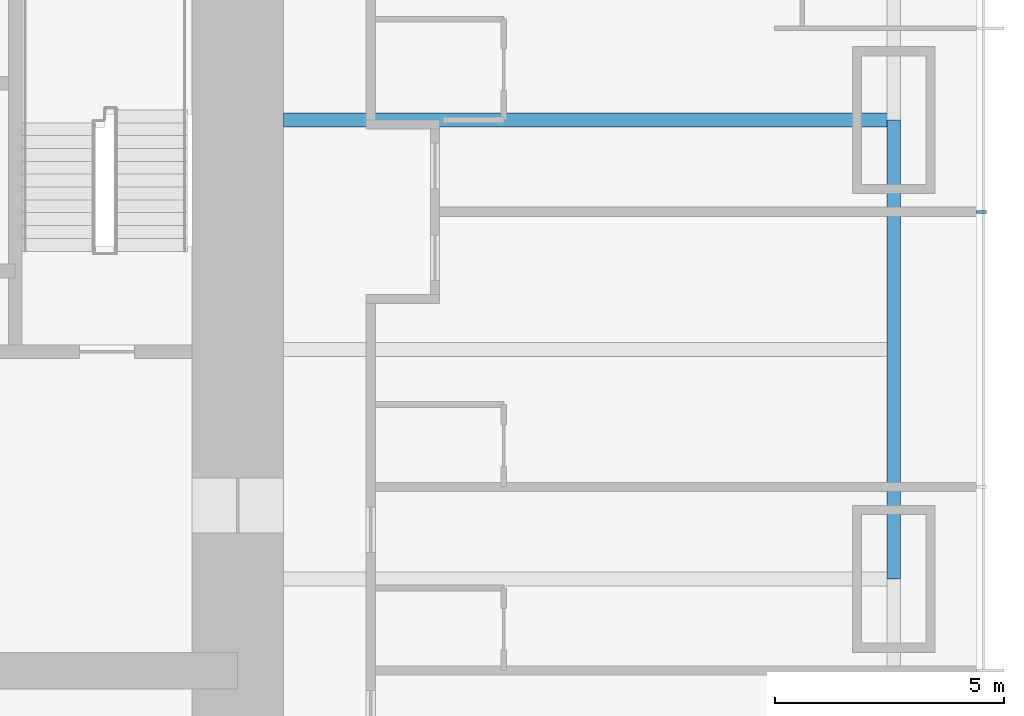
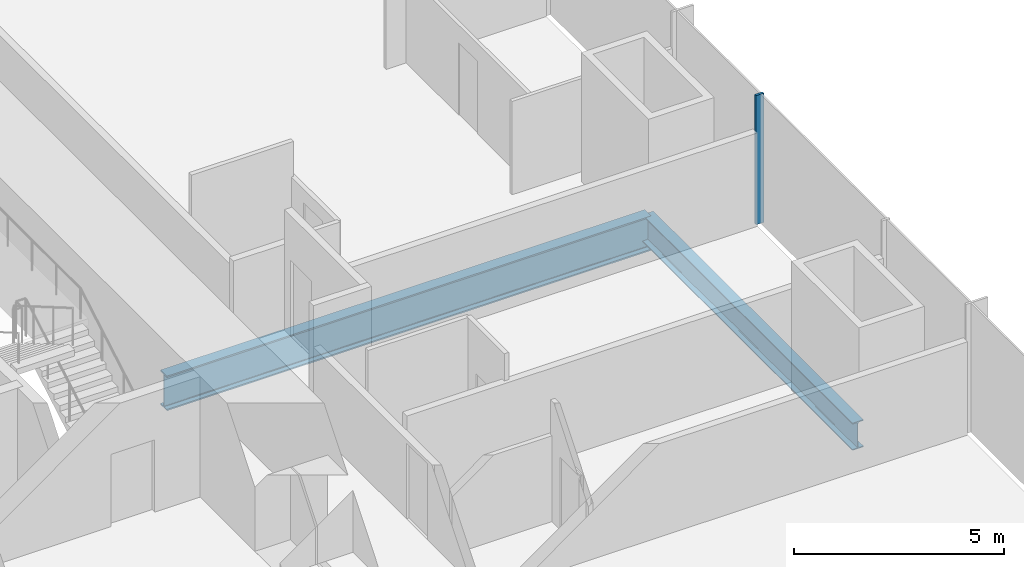
# One storey, part 5 of 17: 2 beams, 1 member, 1 element without a shape of its own.
"""IFC4 building model written with IfcOpenShell, lengths in metres."""

from ifc_helpers import new_model, si_unit, direction, frame, origin, origin_2d, place, context, subcontext, project, spatial, rectangle, i_section, extrude, material, material_profile, profile_set, type_object, element, aggregate, save


model = new_model("IFC4")

# Units and contexts
model_context = context("Model", 3, precision=1e-05, world=origin(), true_north=direction((0.0, 1.0)))
body_context = subcontext(model_context, "Body", "Model", "MODEL_VIEW")
ifc_project = project(units=[si_unit("LENGTHUNIT", "METRE"), si_unit("AREAUNIT", "SQUARE_METRE"), si_unit("VOLUMEUNIT", "CUBIC_METRE"), si_unit("PLANEANGLEUNIT", "RADIAN"), si_unit("MASSUNIT", "GRAM", prefix="KILO")], contexts=[model_context])

# Site, building, storey
site_placement = place(None, origin())
site = spatial("IfcSite", under=ifc_project, at=site_placement, CompositionType="ELEMENT")
building_placement = place(site_placement, origin())
building = spatial("IfcBuilding", under=site, at=building_placement, Name="Khuree Lantern Residences", CompositionType="ELEMENT")
storey_placement = place(building_placement, frame((0.0, 0.0, 39.75)))
storey = spatial("IfcBuildingStorey", under=building, at=storey_placement, Name="L09", CompositionType="ELEMENT", Elevation=39.75)

# Beams
ifc_material_1 = material(Name="Steel S355", Category="steel")
ifc_material_profile_1 = material_profile(ifc_material_1, i_section(OverallWidth=0.300048828125, OverallDepth=0.7900390625, WebThickness=0.014892578125, FlangeThickness=0.028076171875, FilletRadius=0.030029296875, at=origin_2d()), Name="HE 800 A")
ifc_profile_set_1 = profile_set([ifc_material_profile_1], Name="Steel S355")
beam_type_1 = type_object("IfcBeamType", Name="E-12 SPANDREL BEAM HE 800 A", PredefinedType="SPANDREL", material=ifc_profile_set_1)
beam_1_placement = place(storey_placement, frame((29.800048828125, 0.0, -0.64501953125), z_axis=(0.0, -1.0, 0.0), x_axis=(1.0, 0.0, 0.0)))
element("IfcBeam", 1, at=beam_1_placement, inside=storey, type_object=beam_type_1, Name="Spandrel beam E4", PredefinedType="SPANDREL", context=body_context, shape_type="SweptSolid", body=[
    extrude(i_section(OverallWidth=0.300048828125, OverallDepth=0.7900390625, WebThickness=0.014892578125, FlangeThickness=0.028076171875, FilletRadius=0.030029296875, at=origin_2d()), origin(), (0.0, 0.0, 1.0), 10.0),
])
ifc_material_profile_2 = material_profile(ifc_material_1, i_section(OverallWidth=0.302001953125, OverallDepth=1.008056640625, WebThickness=0.02099609375, FlangeThickness=0.0400390625, FilletRadius=0.030029296875, at=origin_2d()), Name="HE 1000 M")
ifc_profile_set_2 = profile_set([ifc_material_profile_2], Name="Steel S355")
beam_type_2 = type_object("IfcBeamType", Name="G-12 GIRDER HE 1000 M", PredefinedType="BEAM", material=ifc_profile_set_2)
beam_2_placement = place(storey_placement, frame((29.800048828125, 0.0, -0.75390625), z_axis=(-1.0, 0.0, 0.0), x_axis=(0.0, -1.0, 0.0)))
element("IfcBeam", 2, at=beam_2_placement, inside=storey, type_object=beam_type_2, Name="Girder E3", PredefinedType="BEAM", context=body_context, shape_type="SweptSolid", body=[
    extrude(i_section(OverallWidth=0.302001953125, OverallDepth=1.008056640625, WebThickness=0.02099609375, FlangeThickness=0.0400390625, FilletRadius=0.030029296875, at=origin_2d()), origin(), (0.0, 0.0, 1.0), 13.300048828125),
])

# Curtain wall, member
ifc_material_2 = material(Name="Bronze anodised aluminium", Category="aluminium")
curtain_wall_type = type_object("IfcCurtainWallType", Name="CW-T1 TOWER FACE CURTAIN WALL", PredefinedType="USERDEFINED", material=ifc_material_2)
curtain_wall_placement = place(storey_placement, origin())
curtain_wall = element("IfcCurtainWall", 3, at=curtain_wall_placement, inside=storey, type_object=curtain_wall_type, Name="L09 EAST FACE CURTAIN WALL", ObjectType="Stick-built curtain wall", PredefinedType="USERDEFINED")
ifc_material_profile_3 = material_profile(ifc_material_2, rectangle(XDim=0.06494140625, YDim=0.219970703125, at=origin_2d()), Name="M1 65X220")
ifc_profile_set_3 = profile_set([ifc_material_profile_3], Name="Bronze anodised aluminium")
member_type = type_object("IfcMemberType", Name="M1 BRONZE MULLION TOWER 65X220", PredefinedType="MULLION", material=ifc_profile_set_3)
member_placement = place(storey_placement, frame((31.7099609375, -2.0, 0.0), z_axis=(0.0, 0.0, 1.0), x_axis=(0.0, 1.0, 0.0)))
member = element("IfcMember", 4, at=member_placement, type_object=member_type, Name="L09 EAST FACE MULLION 9", PredefinedType="MULLION", context=body_context, shape_type="SweptSolid", body=[
    extrude(rectangle(XDim=0.06494140625, YDim=0.219970703125, at=origin_2d()), origin(), (0.0, 0.0, 1.0), 3.75),
])
aggregate(curtain_wall, [member])

save(model, "model.ifc")
